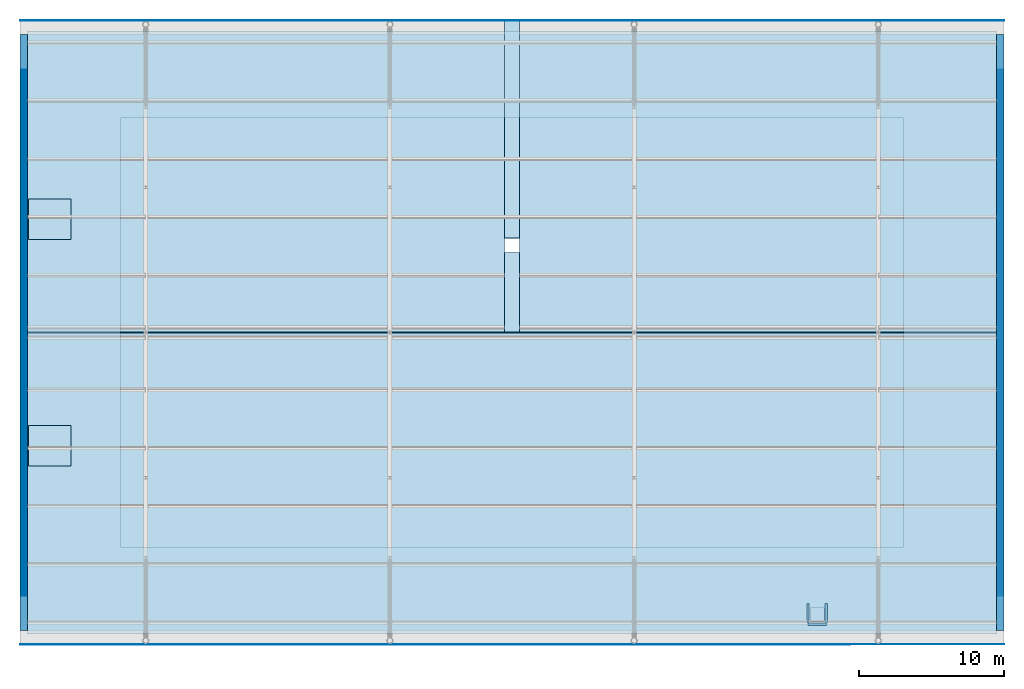
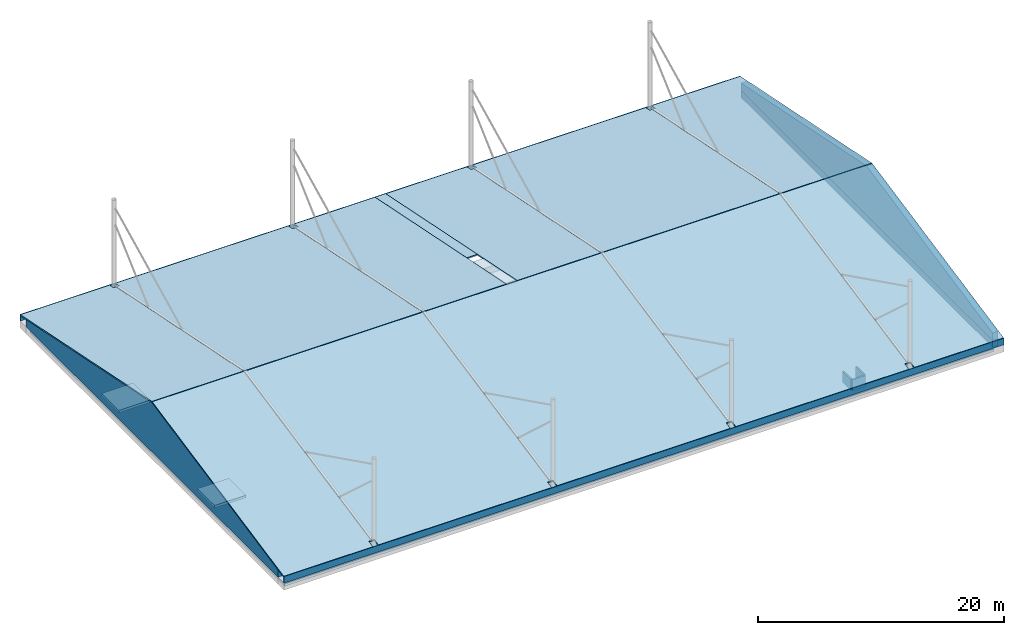
# One storey, part 8 of 8: 16 slabs, 7 walls, 1 beam.
"""IFC4 building model written with IfcOpenShell, lengths in metres."""

from ifc_helpers import new_model, si_unit, direction, frame, frame_2d, origin, origin_2d, place, context, subcontext, project, spatial, polyline, rectangle, outline, extrude, material, layer, layer_set, material_profile, profile_set, type_object, element, save


model = new_model("IFC4")

# Units and contexts
model_context = context("Model", 3, precision=1e-05, world=origin(), true_north=direction((0.0, 1.0)))
body_context = subcontext(model_context, "Body", "Model", "MODEL_VIEW")
ifc_project = project(units=[si_unit("LENGTHUNIT", "METRE"), si_unit("AREAUNIT", "SQUARE_METRE"), si_unit("VOLUMEUNIT", "CUBIC_METRE"), si_unit("PLANEANGLEUNIT", "RADIAN"), si_unit("MASSUNIT", "GRAM", prefix="KILO")], contexts=[model_context])

# Site, building, storey
site_placement = place(None, origin())
site = spatial("IfcSite", under=ifc_project, at=site_placement, CompositionType="ELEMENT")
building_placement = place(site_placement, origin())
building = spatial("IfcBuilding", under=site, at=building_placement, Name="Ljudholm Concert House", CompositionType="ELEMENT")
storey_placement = place(building_placement, frame((0.0, 0.0, 22.800048828125)))
storey = spatial("IfcBuildingStorey", under=building, at=storey_placement, Name="ROOF", CompositionType="ELEMENT", Elevation=22.800048828125)

# Beam
ifc_material_1 = material(Name="Concrete 6,500 psi", Category="concrete")
ifc_material_profile = material_profile(ifc_material_1, rectangle(XDim=0.5, YDim=0.699951171875, at=origin_2d()), Name="RC BEAM 500x700 BEAM")
ifc_profile_set = profile_set([ifc_material_profile], Name="Concrete 6,500 psi")
beam_type = type_object("IfcBeamType", Name="RC BEAM 500x700 BEAM", PredefinedType="BEAM", material=ifc_profile_set)
beam_placement = place(storey_placement, frame((96.39990234375, 54.89990234375, 0.349853515625), z_axis=(0.0, 1.0, 0.0), x_axis=(-1.0, 0.0, 0.0)))
element("IfcBeam", 1, at=beam_placement, inside=storey, type_object=beam_type, Name="Roof ring beam E", PredefinedType="BEAM", context=body_context, shape_type="SweptSolid", body=[
    extrude(rectangle(XDim=0.5, YDim=0.699951171875, at=origin_2d()), origin(), (0.0, 0.0, 1.0), 41.0),
])

# Slabs
ifc_material_2 = material(Name="Concrete 5,000 psi", Category="concrete")
ifc_layer_1 = layer(ifc_material_2, 0.25)
ifc_layer_set_1 = layer_set([ifc_layer_1], Name="Concrete 5,000 psi")
slab_type_1 = type_object("IfcSlabType", Name="RC ROOF SLAB 250", PredefinedType="ROOF", material=ifc_layer_set_1)
slab_1_placement = place(storey_placement, frame((0.0, 0.0, 0.5)))
element("IfcSlab", 2, at=slab_1_placement, inside=storey, type_object=slab_type_1, Name="Lift overrun roof slab", PredefinedType="ROOF", context=body_context, shape_type="SweptSolid", body=[
    extrude(outline(polyline([(29.52490234375, 66.199951171875), (32.47509765625, 66.199951171875), (32.47509765625, 69.0), (29.52490234375, 69.0), (29.52490234375, 66.199951171875)])), origin(), (0.0, 0.0, 1.0), 0.25),
])
slab_2_placement = place(storey_placement, frame((0.0, 0.0, 0.5)))
element("IfcSlab", 3, at=slab_2_placement, inside=storey, type_object=slab_type_1, Name="Lift overrun roof slab", PredefinedType="ROOF", context=body_context, shape_type="SweptSolid", body=[
    extrude(outline(polyline([(29.52490234375, 81.800048828125), (32.47509765625, 81.800048828125), (32.47509765625, 84.60009765625), (29.52490234375, 84.60009765625), (29.52490234375, 81.800048828125)])), origin(), (0.0, 0.0, 1.0), 0.25),
])
ifc_material_3 = material(Name="Concrete 5,000 psi", Category="concrete")
ifc_layer_2 = layer(ifc_material_3, 0.25)
ifc_layer_set_2 = layer_set([ifc_layer_2], Name="Concrete 5,000 psi")
slab_type_2 = type_object("IfcSlabType", Name="RC ROOF SLAB 250 INTERNAL", PredefinedType="ROOF", material=ifc_layer_set_2)
slab_3_placement = place(storey_placement, frame((0.0, 0.0, -0.25)))
element("IfcSlab", 4, at=slab_3_placement, inside=storey, type_object=slab_type_2, Name="Ring roof slab", PredefinedType="ROOF", context=body_context, shape_type="SweptSolid", body=[
    extrude(outline(polyline([(29.449951171875, 54.64990234375), (29.449951171875, 96.14990234375), (96.14990234375, 96.14990234375), (96.14990234375, 54.64990234375), (29.449951171875, 54.64990234375)]), holes=[polyline([(83.35009765625, 55.550048828125), (84.25, 55.550048828125), (84.25, 56.449951171875), (83.35009765625, 56.449951171875), (83.35009765625, 55.550048828125)]), polyline([(29.52490234375, 66.199951171875), (32.47509765625, 66.199951171875), (32.47509765625, 69.0), (29.52490234375, 69.0), (29.52490234375, 66.199951171875)]), polyline([(35.85009765625, 60.64990234375), (89.75, 60.64990234375), (89.75, 90.14990234375), (35.85009765625, 90.14990234375), (35.85009765625, 60.64990234375)]), polyline([(29.52490234375, 81.800048828125), (32.47509765625, 81.800048828125), (32.47509765625, 84.60009765625), (29.52490234375, 84.60009765625), (29.52490234375, 81.800048828125)])]), origin(), (0.0, 0.0, 1.0), 0.25),
])
ifc_material_4 = material(Name="Steel ASTM A653 Gr. 50", Category="steel")
ifc_layer_3 = layer(ifc_material_4, 0.1201171875)
ifc_layer_set_3 = layer_set([ifc_layer_3], Name="Steel ASTM A653 Gr. 50")
slab_type_3 = type_object("IfcSlabType", Name="STEEL ROOF DECK 120", PredefinedType="ROOF", material=ifc_layer_set_3)
slab_4_placement = place(storey_placement, frame((28.949951171875, 53.949951171875, 1.352294921875), z_axis=(-7.15202e-06, -0.19937023656, 0.979924236216), x_axis=(0.999999999974, -1.4259e-06, 7.008437e-06)))
element("IfcSlab", 5, at=slab_4_placement, inside=storey, type_object=slab_type_3, Name="Roof deck south plane", PredefinedType="ROOF", context=body_context, shape_type="SweptSolid", body=[
    extrude(outline(polyline([(0.0, 0.0), (8.392333984160361, 1.7771458472818954e-21), (8.392333985044495, 0.683920896172044), (8.6423339850381, 0.683920896172044), (8.64233398417954, 21.864484038603514), (2.5575692469892095e-11, 21.864484038603514), (0.0, 0.0)])), origin(), (0.0, 0.0, -1.0), 0.1201171875),
])
slab_5_placement = place(storey_placement, frame((28.949951171875, 75.42431640625, 5.71142578125), z_axis=(-7.240184e-06, 0.199368053116, 0.979924680445), x_axis=(0.999999999974, 1.443461e-06, 7.094835e-06)))
element("IfcSlab", 6, at=slab_5_placement, inside=storey, type_object=slab_type_3, Name="Roof deck north plane", PredefinedType="ROOF", context=body_context, shape_type="SweptSolid", body=[
    extrude(outline(polyline([(0.0, 0.0), (8.642333984148483, 0.0), (8.64233398502834, 21.18080238207032), (8.392333985034893, 21.18080238207032), (8.392333984128825, 21.864723277965215), (-2.6210134106488536e-11, 21.864723277965215), (0.0, 0.0)])), origin(), (0.0, 0.0, -1.0), 0.1201171875),
])
slab_6_placement = place(storey_placement, frame((37.607666015625, 54.6201171875, 1.48876953125), z_axis=(0.0, -0.199370231787, 0.979924237213), x_axis=(1.0, 0.0, 0.0)))
element("IfcSlab", 7, at=slab_6_placement, inside=storey, type_object=slab_type_3, Name="Roof deck south plane", PredefinedType="ROOF", context=body_context, shape_type="SweptSolid", body=[
    extrude(outline(polyline([(0.0, 0.0), (0.25, 0.0), (0.25, -0.683920896171441), (16.53466796875, -0.683920896171441), (16.53466796875, 0.0), (16.78466796875, 0.0), (16.78466796875, 21.180563142432057), (0.0, 21.180563142432057), (0.0, 0.0)])), origin(), (0.0, 0.0, -1.0), 0.1201171875),
])
slab_7_placement = place(storey_placement, frame((37.607666015625, 75.42431640625, 5.71142578125), z_axis=(0.0, 0.199368048283, 0.979924681454), x_axis=(1.0, 0.0, 0.0)))
element("IfcSlab", 8, at=slab_7_placement, inside=storey, type_object=slab_type_3, Name="Roof deck north plane", PredefinedType="ROOF", context=body_context, shape_type="SweptSolid", body=[
    extrude(outline(polyline([(0.0, 0.0), (16.78466796875, 0.0), (16.78466796875, 21.18080238207091), (16.53466796875, 21.18080238207091), (16.53466796875, 21.864723277965194), (0.25, 21.864723277965194), (0.25, 21.18080238207091), (0.0, 21.18080238207091), (0.0, 0.0)])), origin(), (0.0, 0.0, -1.0), 0.1201171875),
])
slab_8_placement = place(storey_placement, frame((54.40771484375, 54.6201171875, 1.48876953125), z_axis=(0.0, -0.199370231787, 0.979924237213), x_axis=(1.0, 0.0, 0.0)))
element("IfcSlab", 9, at=slab_8_placement, inside=storey, type_object=slab_type_3, Name="Roof deck south plane", PredefinedType="ROOF", context=body_context, shape_type="SweptSolid", body=[
    extrude(outline(polyline([(0.0, 0.0), (0.25, 0.0), (0.25, -0.683920896171441), (16.53466796875, -0.683920896171441), (16.53466796875, 0.0), (16.78466796875, 0.0), (16.78466796875, 21.180563142432057), (0.0, 21.180563142432057), (0.0, 0.0)])), origin(), (0.0, 0.0, -1.0), 0.1201171875),
])
slab_9_placement = place(storey_placement, frame((54.40771484375, 75.42431640625, 5.71142578125), z_axis=(7.928894e-06, 0.199368037682, 0.979924683579), x_axis=(-4.5e-11, 0.97992468361, -0.199368037688)))
element("IfcSlab", 10, at=slab_9_placement, inside=storey, type_object=slab_type_3, Name="Roof deck north plane", PredefinedType="ROOF", context=body_context, shape_type="SweptSolid", body=[
    extrude(outline(polyline([(0.0, 0.0), (21.180802382072223, -1.3552527156068805e-20), (21.180802382060882, -0.2499999999921416), (21.86472327795381, -0.25000000101550923), (21.8647232776071, -7.892333985150282), (-3.580504572411033e-10, -7.892333984126915), (0.0, 0.0)])), origin(), (0.0, 0.0, -1.0), 0.1201171875),
])
slab_10_placement = place(storey_placement, frame((70.9423828125, 96.85009765625, 1.352294921875), z_axis=(-7.928894e-06, 0.199368037682, 0.979924683579), x_axis=(1.451e-09, -0.97992468361, 0.199368037688)))
element("IfcSlab", 11, at=slab_10_placement, inside=storey, type_object=slab_type_3, Name="Roof deck north plane", PredefinedType="ROOF", context=body_context, shape_type="SweptSolid", body=[
    extrude(outline(polyline([(0.0, 0.0), (0.6839208958929275, 0.0), (0.6839208962556669, 0.24999999999214156), (21.86472327832789, 0.2499999682987864), (21.864723266876446, -7.642334015828128), (-1.1088703420470147e-08, -7.642333984134773), (0.0, 0.0)])), origin(), (0.0, 0.0, -1.0), 0.1201171875),
])
slab_11_placement = place(storey_placement, frame((62.300048828125, 75.42431640625, 5.71142578125), z_axis=(0.0, 0.199366752472, 0.97992494509), x_axis=(0.0, 0.97992494509, -0.199366752472)))
element("IfcSlab", 12, at=slab_11_placement, inside=storey, type_object=slab_type_3, Name="Roof deck north plane", PredefinedType="ROOF", context=body_context, shape_type="SweptSolid", body=[
    extrude(outline(polyline([(0.0, 0.0), (5.587760537108957, 0.0), (5.587760537108957, -1.0), (0.0, -1.0), (0.0, 0.0)])), origin(), (0.0, 0.0, -1.0), 0.1201171875),
])
slab_12_placement = place(storey_placement, frame((63.300048828125, 96.85009765625, 1.352294921875), z_axis=(0.0, 0.199374004007, 0.979923469729), x_axis=(0.0, -0.979923469729, 0.199374004007)))
element("IfcSlab", 13, at=slab_12_placement, inside=storey, type_object=slab_type_3, Name="Roof deck north plane", PredefinedType="ROOF", context=body_context, shape_type="SweptSolid", body=[
    extrude(outline(polyline([(0.0, 0.0), (15.256492751040943, 0.0), (15.256492751040943, -1.0), (0.0, -1.0), (0.0, 0.0)])), origin(), (0.0, 0.0, -1.0), 0.1201171875),
])
slab_13_placement = place(storey_placement, frame((71.20751953125, 54.6201171875, 1.48876953125), z_axis=(0.0, -0.199370231789, 0.979924237212), x_axis=(1.0, 0.0, 0.0)))
element("IfcSlab", 14, at=slab_13_placement, inside=storey, type_object=slab_type_3, Name="Roof deck south plane", PredefinedType="ROOF", context=body_context, shape_type="SweptSolid", body=[
    extrude(outline(polyline([(0.0, 0.0), (0.25, 0.0), (0.25, -0.6839208961714415), (16.534912109375, -0.6839208961714415), (16.534912109375, 0.0), (16.784912109375, 0.0), (16.784912109375, 21.180563142432057), (0.0, 21.180563142432057), (0.0, 0.0)])), origin(), (0.0, 0.0, -1.0), 0.1201171875),
])
slab_14_placement = place(storey_placement, frame((71.20751953125, 75.42431640625, 5.71142578125), z_axis=(0.0, 0.199368048286, 0.979924681454), x_axis=(1.0, 0.0, 0.0)))
element("IfcSlab", 15, at=slab_14_placement, inside=storey, type_object=slab_type_3, Name="Roof deck north plane", PredefinedType="ROOF", context=body_context, shape_type="SweptSolid", body=[
    extrude(outline(polyline([(0.0, 0.0), (16.784912109375, 0.0), (16.784912109375, 21.180802382070915), (16.534912109375, 21.180802382070915), (16.534912109375, 21.864723277965197), (0.25, 21.864723277965197), (0.25, 21.180802382070915), (0.0, 21.180802382070915), (0.0, 0.0)])), origin(), (0.0, 0.0, -1.0), 0.1201171875),
])
slab_15_placement = place(storey_placement, frame((88.007568359375, 54.6201171875, 1.48876953125), z_axis=(7.15202e-06, -0.19937023656, 0.979924236216), x_axis=(0.999999999974, 1.4259e-06, -7.008437e-06)))
element("IfcSlab", 16, at=slab_15_placement, inside=storey, type_object=slab_type_3, Name="Roof deck south plane", PredefinedType="ROOF", context=body_context, shape_type="SweptSolid", body=[
    extrude(outline(polyline([(0.0, 0.0), (0.2499999999936061, -5.293955920339377e-23), (0.25000000087774077, -0.683920896172044), (8.6423339850381, -0.683920896172044), (8.642333985012526, 21.18056314243147), (8.585590125331061e-10, 21.18056314243147), (0.0, 0.0)])), origin(), (0.0, 0.0, -1.0), 0.1201171875),
])
slab_16_placement = place(storey_placement, frame((88.007568359375, 75.42431640625, 5.71142578125), z_axis=(7.240184e-06, 0.199368053116, 0.979924680445), x_axis=(0.999999999974, -1.443461e-06, -7.094835e-06)))
element("IfcSlab", 17, at=slab_16_placement, inside=storey, type_object=slab_type_3, Name="Roof deck north plane", PredefinedType="ROOF", context=body_context, shape_type="SweptSolid", body=[
    extrude(outline(polyline([(0.0, 0.0), (8.642333984148483, 0.0), (8.642333984174693, 21.864723277965215), (0.2500000000196576, 21.864723277965215), (0.24999999911359067, 21.18080238207032), (-8.798567968530734e-10, 21.18080238207032), (0.0, 0.0)])), origin(), (0.0, 0.0, -1.0), 0.1201171875),
])

# Walls
ifc_material_5 = material(Name="Aluminium extrusion with timber-grain PVDF finish", Category="aluminium")
ifc_layer_4 = layer(ifc_material_5, 0.050048828125)
ifc_layer_set_4 = layer_set([ifc_layer_4], Name="Aluminium extrusion with timber-grain PVDF finish")
wall_type_1 = type_object("IfcWallType", Name="ALUMINIUM EAVE FASCIA 50", PredefinedType="SOLIDWALL", material=ifc_layer_set_4)
for number, where, z_axis, x_axis, name in (
    (18, (28.949951171875, 53.925048828125, 0.699951171875), (0.0, 0.0, 1.0), (1.0, 0.0, 0.0), "Eave fascia S"),
    (19, (28.949951171875, 96.875, 0.699951171875), (0.0, 0.0, 1.0), (1.0, 0.0, 0.0), "Eave fascia N"),
):
    element("IfcWall", number, at=place(storey_placement, frame(where, z_axis=z_axis, x_axis=x_axis)), inside=storey, type_object=wall_type_1, Name=name, PredefinedType="SOLIDWALL", context=body_context, shape_type="SweptSolid", body=[
        extrude(rectangle(XDim=67.699951171875, YDim=0.050048828125, at=frame_2d((33.85009765625, 0.0))), origin(), (0.0, 0.0, 1.0), 0.65234375),
    ])
ifc_material_6 = material(Name="Precast concrete 5,000 psi", Category="concrete")
ifc_layer_5 = layer(ifc_material_6, 0.14990234375)
ifc_layer_set_5 = layer_set([ifc_layer_5], Name="Precast concrete 5,000 psi")
wall_type_2 = type_object("IfcWallType", Name="PARAPET 150", PredefinedType="PARAPET", material=ifc_layer_set_5)
wall_placement = place(storey_placement, frame((83.175048828125, 55.324951171875, 0.0), z_axis=(0.0, 0.0, 1.0), x_axis=(1.0, 0.0, 0.0)))
element("IfcWall", 20, at=wall_placement, inside=storey, type_object=wall_type_2, Name="Roof hatch kerb wall", PredefinedType="PARAPET", context=body_context, shape_type="SweptSolid", body=[
    extrude(rectangle(XDim=1.25, YDim=0.14990234375, at=frame_2d((0.625, 0.0))), origin(), (0.0, 0.0, 1.0), 1.099853515625),
])
for number, where, z_axis, x_axis, name in (
    (21, (83.175048828125, 55.39990234375, 0.0), (0.0, 0.0, 1.0), (0.0, 1.0, 0.0), "Roof hatch kerb wall"),
    (22, (84.425048828125, 55.39990234375, 0.0), (0.0, 0.0, 1.0), (0.0, 1.0, 0.0), "Roof hatch kerb wall"),
):
    element("IfcWall", number, at=place(storey_placement, frame(where, z_axis=z_axis, x_axis=x_axis)), inside=storey, type_object=wall_type_2, Name=name, PredefinedType="PARAPET", context=body_context, shape_type="SweptSolid", body=[
        extrude(rectangle(XDim=1.35009765625, YDim=0.14990234375, at=frame_2d((0.675048828125, 0.0))), origin(), (0.0, 0.0, 1.0), 1.099853515625),
    ])
ifc_material_7 = material(Name="Concrete 6,500 psi", Category="concrete")
ifc_layer_6 = layer(ifc_material_7, 0.5)
ifc_layer_set_6 = layer_set([ifc_layer_6], Name="Concrete 6,500 psi")
wall_type_3 = type_object("IfcWallType", Name="RC WALL 500", PredefinedType="SOLIDWALL", material=ifc_layer_set_6)
for number, where, z_axis, x_axis, name in (
    (23, (29.199951171875, 54.89990234375, 0.699951171875), (0.0, 0.0, 1.0), (0.0, 1.0, 0.0), "Gable wall W"),
    (24, (96.39990234375, 54.89990234375, 0.699951171875), (0.0, 0.0, 1.0), (0.0, 1.0, 0.0), "Gable wall E"),
):
    element("IfcWall", number, at=place(storey_placement, frame(where, z_axis=z_axis, x_axis=x_axis)), inside=storey, type_object=wall_type_3, Name=name, PredefinedType="SOLIDWALL", context=body_context, shape_type="SweptSolid", body=[
        extrude(outline(polyline([(0.0, 0.0), (41.0, 0.0), (41.0, 0.7255859375), (20.5, 4.896484375), (0.0, 0.7255859375), (0.0, 0.0)])), frame((0.0, 0.25, 0.0), z_axis=(0.0, -1.0, 0.0), x_axis=(1.0, 0.0, 0.0)), (0.0, 0.0, 1.0), 0.5),
    ])

save(model, "model.ifc")
